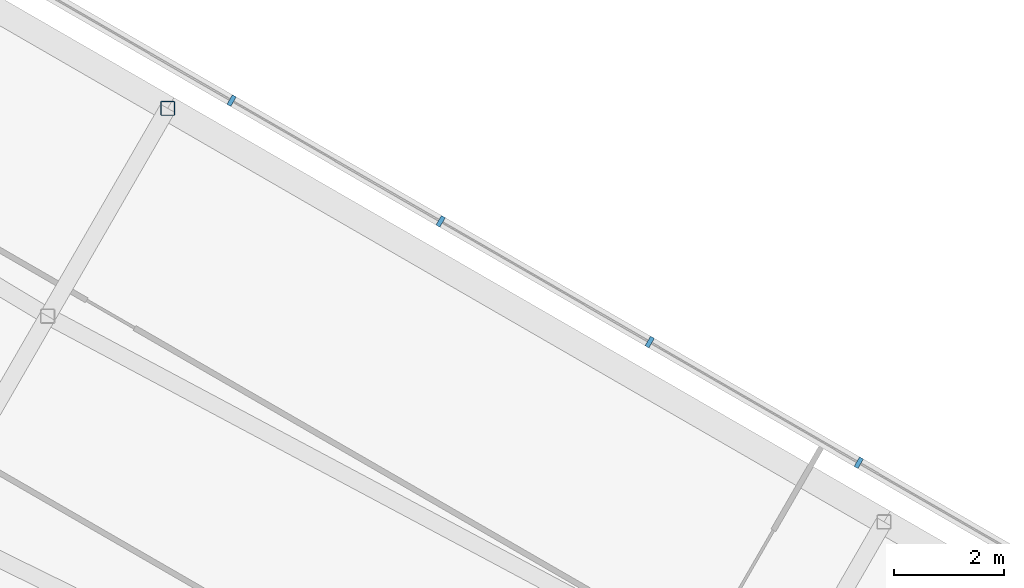
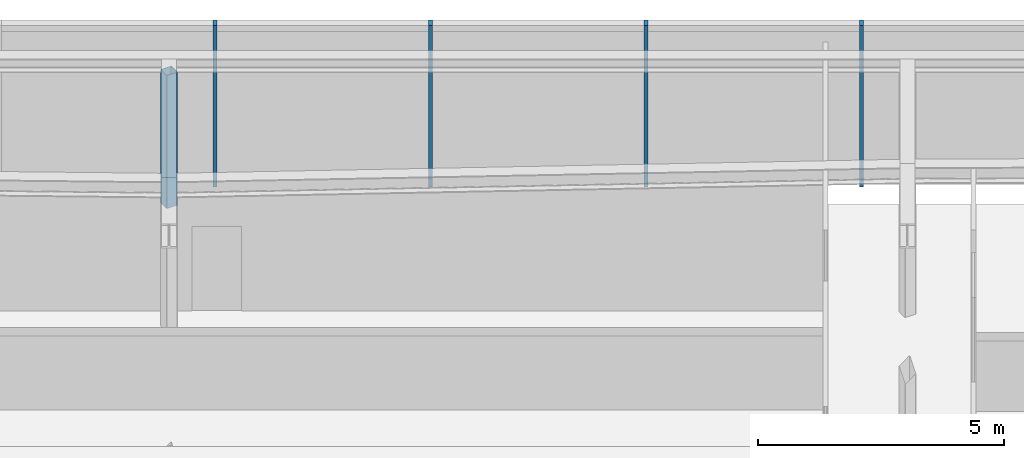
# One storey, part 9 of 28: 5 members, 1 element without a shape of its own.
"""IFC4 building model written with IfcOpenShell, lengths in metres."""

import ifcopenshell
import ifcopenshell.guid

model = None  # the IFC model being written
_history = None  # IfcOwnerHistory: only IFC2X3 demands one
_inside = {}  # id of a spatial element -> (the spatial element, [elements in it])
_under = {}  # id of a project, library or spatial element -> (it, [spatial elements below it])
_declared = {}  # id of a project -> (the project, [libraries it declares])
_typed = {}  # id of a type object -> (the type object, [elements of that type])
_made_of = {}  # id of a material, layer set ... -> (it, [elements and type objects made of it])


def new_model(schema):
    """Start an empty IFC model of exactly this schema.

    Asked for "IFC4X3", IfcOpenShell would pick the latest addendum, in which some entities
    have other attributes; the version numbers below select the first issue.
    IFC2X3 requires an IfcOwnerHistory on every rooted entity: one is made here for all.
    """
    global model, _history
    if schema == "IFC4X3":
        model = ifcopenshell.file(schema_version=(4, 3, 0, 0))
    else:
        model = ifcopenshell.file(schema=schema)
    _inside.clear()
    _under.clear()
    _declared.clear()
    _typed.clear()
    _made_of.clear()
    _history = None
    if model.schema == "IFC2X3":
        org = make("IfcOrganization", Name="unknown")
        user = make(
            "IfcPersonAndOrganization",
            ThePerson=make("IfcPerson", FamilyName="unknown"),
            TheOrganization=org,
        )
        app = make(
            "IfcApplication",
            ApplicationDeveloper=org,
            Version="unknown",
            ApplicationFullName="unknown",
            ApplicationIdentifier="unknown",
        )
        _history = make(
            "IfcOwnerHistory",
            OwningUser=user,
            OwningApplication=app,
            ChangeAction="ADDED",
            CreationDate=0,
        )
    return model


def make(cls, **values):
    """One entity of the class cls with the attributes given. An attribute that is None is left unset."""
    return model.create_entity(
        cls, **{name: value for name, value in values.items() if value is not None}
    )


def rooted(cls, **values):
    """An entity with a GlobalId (a new one), such as an element, a storey or a relation."""
    return make(cls, GlobalId=ifcopenshell.guid.new(), OwnerHistory=_history, **values)


def si_unit(unit_type, name, prefix=None):
    """IfcSIUnit, for example si_unit("LENGTHUNIT", "METRE", prefix="MILLI")."""
    return make("IfcSIUnit", UnitType=unit_type, Prefix=prefix, Name=name)


def assignment(units):
    """IfcUnitAssignment: the units of a project."""
    return None if units is None else make("IfcUnitAssignment", Units=units)


def point(xyz):
    """IfcCartesianPoint."""
    return None if xyz is None else make("IfcCartesianPoint", Coordinates=xyz)


def direction(xyz):
    """IfcDirection."""
    return None if xyz is None else make("IfcDirection", DirectionRatios=xyz)


def frame(location, z_axis=None, x_axis=None):
    """IfcAxis2Placement3D, a coordinate frame: its origin and axes. An axis left out is left unset."""
    return make(
        "IfcAxis2Placement3D",
        Location=point(location),
        Axis=direction(z_axis),
        RefDirection=direction(x_axis),
    )


def frame_2d(location, x_axis=None):
    """IfcAxis2Placement2D, a coordinate frame in the plane: its origin and x axis."""
    return make(
        "IfcAxis2Placement2D", Location=point(location), RefDirection=direction(x_axis)
    )


def origin():
    """The frame at (0, 0, 0) with its axes left unset."""
    return frame((0.0, 0.0, 0.0))


def origin_2d():
    """The frame at (0, 0) in the plane with its x axis left unset."""
    return frame_2d((0.0, 0.0))


def place(relative_to, where):
    """IfcLocalPlacement: puts the frame where relative to a parent placement (None: the world)."""
    return make(
        "IfcLocalPlacement", PlacementRelTo=relative_to, RelativePlacement=where
    )


def context(
    kind, dimensions, precision=None, world=None, true_north=None, identifier=None
):
    """IfcGeometricRepresentationContext, for example the 3D "Model" context."""
    return make(
        "IfcGeometricRepresentationContext",
        ContextIdentifier=identifier,
        ContextType=kind,
        CoordinateSpaceDimension=dimensions,
        Precision=precision,
        WorldCoordinateSystem=world,
        TrueNorth=true_north,
    )


def subcontext(parent, identifier, kind, view, scale=None):
    """IfcGeometricRepresentationSubContext, for example "Body" below "Model"."""
    return make(
        "IfcGeometricRepresentationSubContext",
        ContextIdentifier=identifier,
        ContextType=kind,
        ParentContext=parent,
        TargetScale=scale,
        TargetView=view,
    )


def project(units=None, contexts=None):
    """IfcProject with its units and contexts."""
    return rooted(
        "IfcProject",
        Name="project",
        RepresentationContexts=contexts,
        UnitsInContext=assignment(units),
    )


def spatial(cls, under=None, at=None, **own):
    """A site, building, storey or space (cls), placed at a placement, below another one or the project."""
    s = rooted(cls, ObjectPlacement=at, **own)
    if under is not None:
        _under.setdefault(under.id(), (under, []))[1].append(s)
    return s


def profile(cls, at=None, kind="AREA", **sizes):
    """A parametric profile (cls). Its sizes go by their IFC names, for example OverallWidth=200.0."""
    return make(cls, ProfileType=kind, Position=at, **sizes)


def rectangle(**sizes):
    """IfcRectangleProfileDef."""
    return profile("IfcRectangleProfileDef", **sizes)


def hollow_rectangle(**sizes):
    """IfcRectangleHollowProfileDef."""
    return profile("IfcRectangleHollowProfileDef", **sizes)


def extrude(swept, where, along, depth):
    """IfcExtrudedAreaSolid: the profile swept, set in the frame where, extruded along a direction by depth."""
    return make(
        "IfcExtrudedAreaSolid",
        SweptArea=swept,
        Position=where,
        ExtrudedDirection=direction(along),
        Depth=depth,
    )


def shape(context_of_items, identifier, shape_type, items):
    """IfcShapeRepresentation: the items that make up one representation, for example the "Body"."""
    return make(
        "IfcShapeRepresentation",
        ContextOfItems=context_of_items,
        RepresentationIdentifier=identifier,
        RepresentationType=shape_type,
        Items=items,
    )


def material(Name=None, Category=None):
    """IfcMaterial."""
    return make("IfcMaterial", Name=Name, Category=Category)


def layer(
    of_material, thickness, ventilated=None, Name=None, Category=None, Priority=None
):
    """IfcMaterialLayer: one layer of a wall or slab, of a material (None: an air gap)."""
    return make(
        "IfcMaterialLayer",
        Material=of_material,
        LayerThickness=thickness,
        IsVentilated=ventilated,
        Name=Name,
        Category=Category,
        Priority=Priority,
    )


def layer_set(layers, Name=None):
    """IfcMaterialLayerSet."""
    return make("IfcMaterialLayerSet", MaterialLayers=layers, LayerSetName=Name)


def material_profile(
    of_material, cross_section, Name=None, Category=None, Priority=None
):
    """IfcMaterialProfile: a cross section and its material."""
    return make(
        "IfcMaterialProfile",
        Name=Name,
        Material=of_material,
        Profile=cross_section,
        Priority=Priority,
        Category=Category,
    )


def profile_set(profiles, Name=None, composite=None):
    """IfcMaterialProfileSet."""
    return make(
        "IfcMaterialProfileSet",
        Name=Name,
        MaterialProfiles=profiles,
        CompositeProfile=composite,
    )


def made_of(thing, what):
    """Note that an element or type object is made of a material, layer set ...; save() writes the relation."""
    if what is not None:
        _made_of.setdefault(what.id(), (what, []))[1].append(thing)
    return thing


def type_object(cls, material=None, **own):
    """A type object (cls), such as IfcWallType, which elements share."""
    return made_of(rooted(cls, **own), material)


def element(
    cls,
    number,
    at=None,
    inside=None,
    cuts=None,
    type_object=None,
    material=None,
    context=None,
    identifier="Body",
    shape_type=None,
    held_by="IfcProductDefinitionShape",
    body=None,
    shapes=None,
    **own,
):
    """One element of the class cls, such as IfcWall. Its Tag is "e" and its number.

    at: its placement. inside: the storey or other place that contains it. cuts: it is an
    opening in that element (IfcRelVoidsElement). A single representation is given by context,
    identifier, shape_type and body (its items); several are given by shapes. held_by: the class
    of the entity that holds the representations. save() writes the other relations.
    """
    e = rooted(cls, Tag="e%d" % number, ObjectPlacement=at, **own)
    if body is not None:
        shapes = [shape(context, identifier, shape_type, body)]
    if shapes is not None:
        e.Representation = make(held_by, Representations=shapes)
    if inside is not None:
        _inside.setdefault(inside.id(), (inside, []))[1].append(e)
    if cuts is not None:
        rooted(
            "IfcRelVoidsElement", RelatingBuildingElement=cuts, RelatedOpeningElement=e
        )
    if type_object is not None:
        _typed.setdefault(type_object.id(), (type_object, []))[1].append(e)
    return made_of(e, material)


def aggregate(whole, parts):
    """IfcRelAggregates: a whole, such as a stair, and the parts it consists of."""
    return rooted("IfcRelAggregates", RelatingObject=whole, RelatedObjects=parts)


def save(model, path):
    """Write the relations noted so far, then the file.

    IfcRelAggregates (storeys below a building ...), IfcRelContainedInSpatialStructure (elements
    in a storey), IfcRelDefinesByType, IfcRelAssociatesMaterial and IfcRelDeclares: one each for
    every whole, place, type object, material and project.
    """
    for whole, parts in _under.values():
        aggregate(whole, parts)
    for where, things in _inside.values():
        rooted(
            "IfcRelContainedInSpatialStructure",
            RelatedElements=things,
            RelatingStructure=where,
        )
    for kind, things in _typed.values():
        rooted("IfcRelDefinesByType", RelatedObjects=things, RelatingType=kind)
    for what, things in _made_of.values():
        rooted("IfcRelAssociatesMaterial", RelatedObjects=things, RelatingMaterial=what)
    for by, libraries in _declared.values():
        rooted("IfcRelDeclares", RelatingContext=by, RelatedDefinitions=libraries)
    model.write(path)


model = new_model("IFC4")

# Units and contexts
model_context = context("Model", 3, precision=1e-05, world=origin(), true_north=direction((0.0, 1.0)))
body_context = subcontext(model_context, "Body", "Model", "MODEL_VIEW")
ifc_project = project(units=[si_unit("LENGTHUNIT", "METRE"), si_unit("AREAUNIT", "SQUARE_METRE"), si_unit("VOLUMEUNIT", "CUBIC_METRE"), si_unit("PLANEANGLEUNIT", "RADIAN"), si_unit("MASSUNIT", "GRAM", prefix="KILO")], contexts=[model_context])

# Site, building, storey
site_placement = place(None, origin())
site = spatial("IfcSite", under=ifc_project, at=site_placement, CompositionType="ELEMENT")
building_placement = place(site_placement, origin())
building = spatial("IfcBuilding", under=site, at=building_placement, Name="Ayvan Gate Tower", CompositionType="ELEMENT")
storey_placement = place(building_placement, frame((0.0, 0.0, 143.89990234375)))
storey = spatial("IfcBuildingStorey", under=building, at=storey_placement, Name="L38", CompositionType="ELEMENT", Elevation=143.89990234375)

# Member
ifc_material_1 = material(Name="Steel S460NH", Category="steel")
ifc_material_profile_1 = material_profile(ifc_material_1, hollow_rectangle(XDim=0.260009765625, YDim=0.260009765625, WallThickness=0.012451171875, InnerFilletRadius=0.012451171875, OuterFilletRadius=0.018798828125, at=origin_2d()), Name="RHS 260x260x12.5")
ifc_profile_set_1 = profile_set([ifc_material_profile_1], Name="Steel S460NH")
member_type_1 = type_object("IfcMemberType", Name="Sky bar roof post B3 RHS 260x260x12.5", PredefinedType="POST", material=ifc_profile_set_1)
member_1_placement = place(storey_placement, frame((12.4853515625, 32.125244140625, 0.0), z_axis=(0.0, 0.0, 1.0), x_axis=(1.0, 0.0, 0.0)))
element("IfcMember", 1, at=member_1_placement, inside=storey, type_object=member_type_1, Name="RP-B3-SBT3-3-4", PredefinedType="POST", context=body_context, shape_type="SweptSolid", body=[
    extrude(hollow_rectangle(XDim=0.260009765625, YDim=0.260009765625, WallThickness=0.012451171875, InnerFilletRadius=0.012451171875, OuterFilletRadius=0.018798828125, at=origin_2d()), origin(), (0.0, 0.0, 1.0), 3.300048828125),
])

# Curtain wall, members
ifc_material_2 = material(Name="Bronze anodised aluminium", Category="aluminium")
ifc_layer = layer(ifc_material_2, 0.199951171875)
ifc_layer_set = layer_set([ifc_layer], Name="Bronze anodised aluminium")
curtain_wall_type = type_object("IfcCurtainWallType", Name="Stick curtain wall CW-4", PredefinedType="NOTDEFINED", material=ifc_layer_set)
curtain_wall_placement = place(storey_placement, origin())
curtain_wall = element("IfcCurtainWall", 2, at=curtain_wall_placement, inside=storey, type_object=curtain_wall_type, Name="Stick curtain wall CW-4 L38", PredefinedType="NOTDEFINED")
ifc_material_profile_2 = material_profile(ifc_material_2, rectangle(XDim=0.199951171875, YDim=0.080078125, at=origin_2d()), Name="Stick curtain wall CW-4 mullion 200 x 80")
ifc_profile_set_2 = profile_set([ifc_material_profile_2], Name="Bronze anodised aluminium")
member_type_2 = type_object("IfcMemberType", Name="Stick curtain wall CW-4 mullion 200 x 80", PredefinedType="MULLION", material=ifc_profile_set_2)
member_2_placement = place(storey_placement, frame((25.017333984375, 25.6982421875, 0.0), z_axis=(0.0, 0.0, 1.0), x_axis=(0.5, 0.866025403784, 0.0)))
member_2 = element("IfcMember", 3, at=member_2_placement, type_object=member_type_2, Name="CW-4 mullion 4", PredefinedType="MULLION", context=body_context, shape_type="SweptSolid", body=[
    extrude(rectangle(XDim=0.199951171875, YDim=0.080078125, at=origin_2d()), origin(), (0.0, 0.0, 1.0), 4.0),
])
member_3_placement = place(storey_placement, frame((21.22607421875, 27.886962890625, 0.0), z_axis=(0.0, 0.0, 1.0), x_axis=(0.5, 0.866025403784, 0.0)))
member_3 = element("IfcMember", 4, at=member_3_placement, type_object=member_type_2, Name="CW-4 mullion 5", PredefinedType="MULLION", context=body_context, shape_type="SweptSolid", body=[
    extrude(rectangle(XDim=0.199951171875, YDim=0.080078125, at=origin_2d()), origin(), (0.0, 0.0, 1.0), 4.0),
])
member_4_placement = place(storey_placement, frame((17.434814453125, 30.075927734375, 0.0), z_axis=(0.0, 0.0, 1.0), x_axis=(0.5, 0.866025403784, 0.0)))
member_4 = element("IfcMember", 5, at=member_4_placement, type_object=member_type_2, Name="CW-4 mullion 6", PredefinedType="MULLION", context=body_context, shape_type="SweptSolid", body=[
    extrude(rectangle(XDim=0.199951171875, YDim=0.080078125, at=origin_2d()), origin(), (0.0, 0.0, 1.0), 4.0),
])
member_5_placement = place(storey_placement, frame((13.6435546875, 32.264892578125, 0.0), z_axis=(0.0, 0.0, 1.0), x_axis=(0.5, 0.866025403784, 0.0)))
member_5 = element("IfcMember", 6, at=member_5_placement, type_object=member_type_2, Name="CW-4 mullion 7", PredefinedType="MULLION", context=body_context, shape_type="SweptSolid", body=[
    extrude(rectangle(XDim=0.199951171875, YDim=0.080078125, at=origin_2d()), origin(), (0.0, 0.0, 1.0), 4.0),
])
aggregate(curtain_wall, [member_2, member_3, member_4, member_5])

save(model, "model.ifc")
